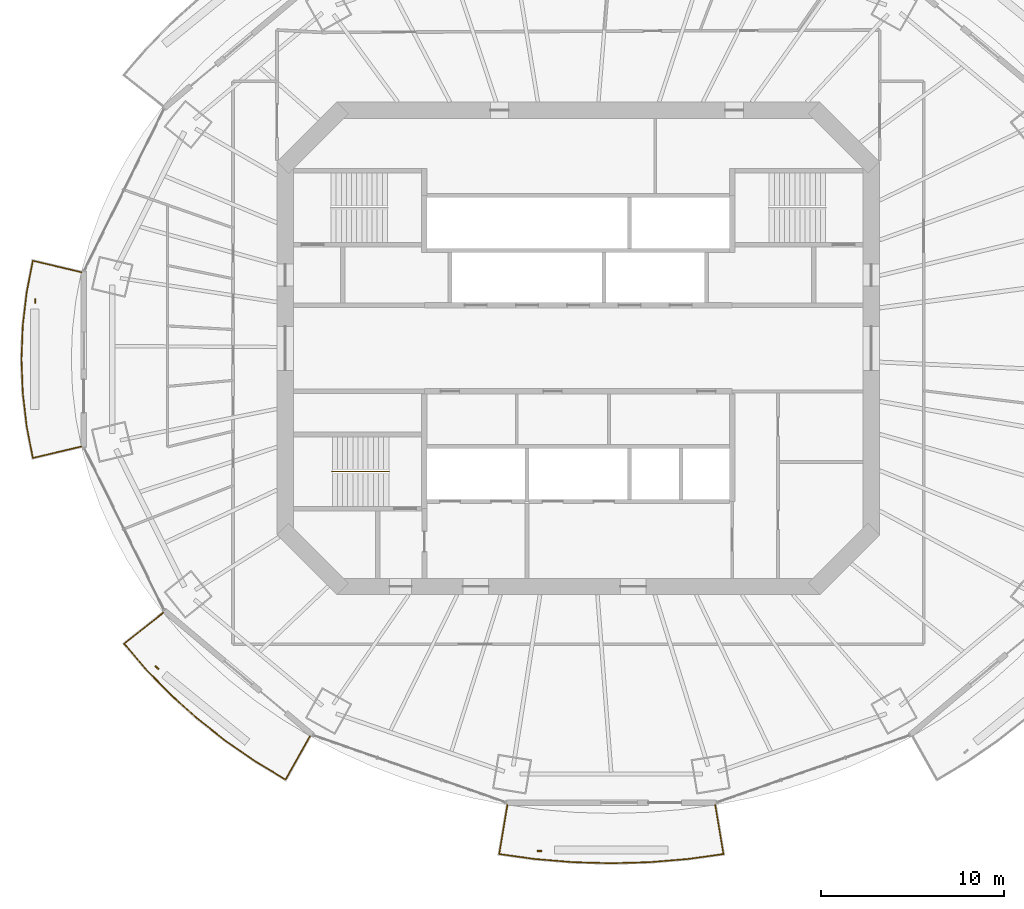
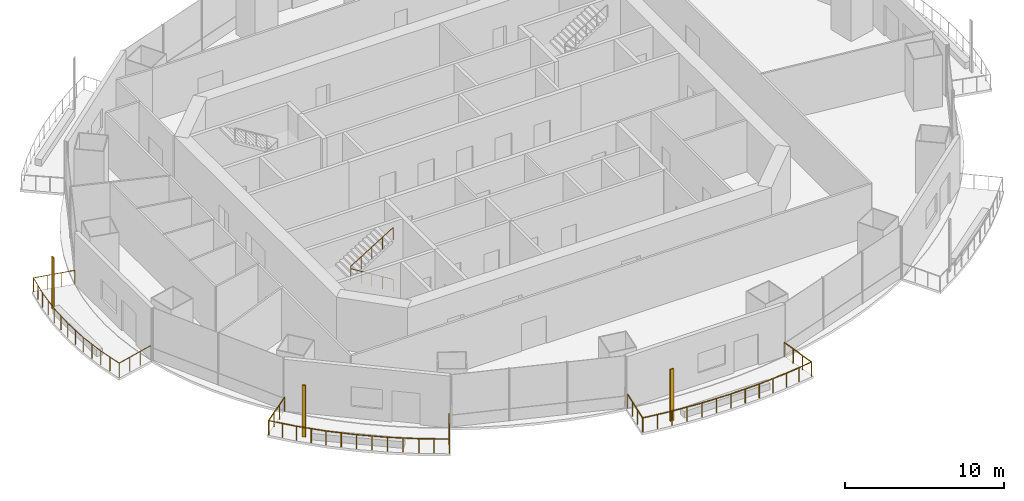
# One storey, part 14 of 18: 4 railings, 3 shading devices.
"""IFC4 building model written with IfcOpenShell, lengths in metres."""

from ifc_helpers import new_model, si_unit, direction, frame, origin, origin_2d, place, context, subcontext, project, spatial, rectangle, circle, extrude, material, material_profile, profile_set, type_object, element, save


model = new_model("IFC4")

# Units and contexts
model_context = context("Model", 3, precision=1e-05, world=origin(), true_north=direction((0.0, 1.0)))
body_context = subcontext(model_context, "Body", "Model", "MODEL_VIEW")
ifc_project = project(units=[si_unit("LENGTHUNIT", "METRE"), si_unit("AREAUNIT", "SQUARE_METRE"), si_unit("VOLUMEUNIT", "CUBIC_METRE"), si_unit("PLANEANGLEUNIT", "RADIAN"), si_unit("MASSUNIT", "GRAM", prefix="KILO")], contexts=[model_context])

# Site, building, storey
site_placement = place(None, origin())
site = spatial("IfcSite", under=ifc_project, at=site_placement, CompositionType="ELEMENT")
building_placement = place(site_placement, origin())
building = spatial("IfcBuilding", under=site, at=building_placement, Name="Marenthal Gate Tower", CompositionType="ELEMENT")
storey_placement = place(building_placement, frame((0.0, 0.0, 264.800048828125)))
storey = spatial("IfcBuildingStorey", under=building, at=storey_placement, Name="L59", CompositionType="ELEMENT", Elevation=264.800048828125)

# Railings
ifc_material_1 = material(Name="Stainless steel", Category="steel")
railing_type_1 = type_object("IfcRailingType", Name="Balcony guard 1100", PredefinedType="GUARDRAIL", material=ifc_material_1)
railing_1_placement = place(storey_placement, frame((-27.1328125, -5.358154296875, 0.0)))
element("IfcRailing", 1, at=railing_1_placement, inside=storey, type_object=railing_type_1, Name="Balcony guard L59 bay 8", PredefinedType="GUARDRAIL", context=body_context, shape_type="SweptSolid", body=[
    extrude(circle(Radius=0.02392578125, at=origin_2d()), frame((0.0, 0.0, 1.076171875), z_axis=(-0.973097096147, -0.229924814196, -0.014718059925), x_axis=(0.229949721547, -0.973202510046, 0.0)), (0.0, 0.0, 1.0), 2.720458984375),
    extrude(circle(Radius=0.02392578125, at=origin_2d()), frame((-2.647216796875, -0.62548828125, 1.0361328125), z_axis=(-0.190992168811, 0.981591560402, 0.0), x_axis=(-0.981591560402, -0.190992168811, 0.0)), (0.0, 0.0, 1.0), 1.76025390625),
    extrude(circle(Radius=0.02392578125, at=origin_2d()), frame((-2.9833984375, 1.102294921875, 1.0361328125), z_axis=(-0.116223982804, 0.993223029244, 0.0), x_axis=(-0.993223029244, -0.116223982804, 0.0)), (0.0, 0.0, 1.0), 1.8359375),
    extrude(circle(Radius=0.02392578125, at=origin_2d()), frame((-3.19677734375, 2.92578125, 1.0361328125), z_axis=(-0.038877979739, 0.999243965552, 0.0), x_axis=(-0.999243965552, -0.038877979739, 0.0)), (0.0, 0.0, 1.0), 1.833740234375),
    extrude(circle(Radius=0.02392578125, at=origin_2d()), frame((-3.26806640625, 4.758056640625, 1.0361328125), z_axis=(0.038872807979, 0.999244166758, 0.0), x_axis=(-0.999244166758, 0.038872807979, 0.0)), (0.0, 0.0, 1.0), 1.833984375),
    extrude(circle(Radius=0.02392578125, at=origin_2d()), frame((-3.19677734375, 6.590576171875, 1.0361328125), z_axis=(0.116223982804, 0.993223029244, 0.0), x_axis=(-0.993223029244, 0.116223982804, 0.0)), (0.0, 0.0, 1.0), 1.8359375),
    extrude(circle(Radius=0.02392578125, at=origin_2d()), frame((-2.9833984375, 8.4140625, 1.0361328125), z_axis=(0.190992168811, 0.981591560402, 0.0), x_axis=(-0.981591560402, 0.190992168811, 0.0)), (0.0, 0.0, 1.0), 1.76025390625),
    extrude(circle(Radius=0.02392578125, at=origin_2d()), frame((-2.647216796875, 10.141845703125, 1.0361328125), z_axis=(0.973077013542, -0.230009811464, 0.014717756176), x_axis=(0.230034726995, 0.973182420914, 0.0)), (0.0, 0.0, 1.0), 2.720458984375),
    extrude(circle(Radius=0.02099609375, at=origin_2d()), origin(), (0.0, 0.0, 1.0), 1.052001953125),
    extrude(circle(Radius=0.02099609375, at=origin_2d()), frame((-0.88232421875, -0.20849609375, -0.013427734375)), (0.0, 0.0, 1.0), 1.052001953125),
    extrude(circle(Radius=0.02099609375, at=origin_2d()), frame((-1.764892578125, -0.4169921875, -0.026611328125)), (0.0, 0.0, 1.0), 1.052001953125),
    extrude(circle(Radius=0.02099609375, at=origin_2d()), frame((-2.647216796875, -0.62548828125, -0.0400390625)), (0.0, 0.0, 1.0), 1.052001953125),
    extrude(circle(Radius=0.02099609375, at=origin_2d()), frame((-2.8154296875, 0.23828125, -0.0400390625)), (0.0, 0.0, 1.0), 1.052001953125),
    extrude(circle(Radius=0.02099609375, at=origin_2d()), frame((-2.9833984375, 1.102294921875, -0.0400390625)), (0.0, 0.0, 1.0), 1.052001953125),
    extrude(circle(Radius=0.02099609375, at=origin_2d()), frame((-3.090087890625, 2.01416015625, -0.0400390625)), (0.0, 0.0, 1.0), 1.052001953125),
    extrude(circle(Radius=0.02099609375, at=origin_2d()), frame((-3.19677734375, 2.92578125, -0.0400390625)), (0.0, 0.0, 1.0), 1.052001953125),
    extrude(circle(Radius=0.02099609375, at=origin_2d()), frame((-3.232421875, 3.841796875, -0.0400390625)), (0.0, 0.0, 1.0), 1.052001953125),
    extrude(circle(Radius=0.02099609375, at=origin_2d()), frame((-3.26806640625, 4.758056640625, -0.0400390625)), (0.0, 0.0, 1.0), 1.052001953125),
    extrude(circle(Radius=0.02099609375, at=origin_2d()), frame((-3.232421875, 5.67431640625, -0.0400390625)), (0.0, 0.0, 1.0), 1.052001953125),
    extrude(circle(Radius=0.02099609375, at=origin_2d()), frame((-3.19677734375, 6.590576171875, -0.0400390625)), (0.0, 0.0, 1.0), 1.052001953125),
    extrude(circle(Radius=0.02099609375, at=origin_2d()), frame((-3.090087890625, 7.50244140625, -0.0400390625)), (0.0, 0.0, 1.0), 1.052001953125),
    extrude(circle(Radius=0.02099609375, at=origin_2d()), frame((-2.9833984375, 8.4140625, -0.0400390625)), (0.0, 0.0, 1.0), 1.052001953125),
    extrude(circle(Radius=0.02099609375, at=origin_2d()), frame((-2.8154296875, 9.27783203125, -0.0400390625)), (0.0, 0.0, 1.0), 1.052001953125),
    extrude(circle(Radius=0.02099609375, at=origin_2d()), frame((-2.647216796875, 10.141845703125, -0.0400390625)), (0.0, 0.0, 1.0), 1.052001953125),
    extrude(circle(Radius=0.02099609375, at=origin_2d()), frame((-1.764892578125, 9.933349609375, -0.026611328125)), (0.0, 0.0, 1.0), 1.052001953125),
    extrude(circle(Radius=0.02099609375, at=origin_2d()), frame((-0.88232421875, 9.724609375, -0.013427734375)), (0.0, 0.0, 1.0), 1.052001953125),
    extrude(circle(Radius=0.02099609375, at=origin_2d()), frame((0.0, 9.51611328125, 0.0)), (0.0, 0.0, 1.0), 1.052001953125),
])
railing_2_placement = place(storey_placement, frame((-14.6484375, -21.17138671875, 0.0)))
element("IfcRailing", 2, at=railing_2_placement, inside=storey, type_object=railing_type_1, Name="Balcony guard L59 bay 10", PredefinedType="GUARDRAIL", context=body_context, shape_type="SweptSolid", body=[
    extrude(circle(Radius=0.02392578125, at=origin_2d()), frame((0.0, 0.0, 1.076171875), z_axis=(-0.490110126521, -0.87153624586, -0.01471856084), x_axis=(0.871630664279, -0.490163222905, 0.0)), (0.0, 0.0, 1.0), 2.72021484375),
    extrude(circle(Radius=0.02392578125, at=origin_2d()), frame((-1.333251953125, -2.370849609375, 1.0361328125), z_axis=(-0.855836862024, 0.517245846383, 0.0), x_axis=(-0.517245846383, -0.855836862024, 0.0)), (0.0, 0.0, 1.0), 1.917236328125),
    extrude(circle(Radius=0.02392578125, at=origin_2d()), frame((-2.97412109375, -1.379150390625, 1.0361328125), z_axis=(-0.823034037929, 0.567992053122, 0.0), x_axis=(-0.567992053122, -0.823034037929, 0.0)), (0.0, 0.0, 1.0), 1.9814453125),
    extrude(circle(Radius=0.02392578125, at=origin_2d()), frame((-4.60498046875, -0.253662109375, 1.0361328125), z_axis=(-0.785632541266, 0.618693389414, 0.0), x_axis=(-0.618693389414, -0.785632541266, 0.0)), (0.0, 0.0, 1.0), 1.965576171875),
    extrude(circle(Radius=0.02392578125, at=origin_2d()), frame((-6.149169921875, 0.96240234375, 1.0361328125), z_axis=(-0.744090634805, 0.668078683387, 0.0), x_axis=(-0.668078683387, -0.744090634805, 0.0)), (0.0, 0.0, 1.0), 1.94970703125),
    extrude(circle(Radius=0.02392578125, at=origin_2d()), frame((-7.599853515625, 2.264892578125, 1.0361328125), z_axis=(-0.698405883907, 0.715701908147, 0.0), x_axis=(-0.715701908147, -0.698405883907, 0.0)), (0.0, 0.0, 1.0), 1.933837890625),
    extrude(circle(Radius=0.02392578125, at=origin_2d()), frame((-8.950439453125, 3.64892578125, 1.0361328125), z_axis=(-0.649828188236, 0.760081131047, 0.0), x_axis=(-0.760081131047, -0.649828188236, 0.0)), (0.0, 0.0, 1.0), 1.837890625),
    extrude(circle(Radius=0.02392578125, at=origin_2d()), frame((-10.144775390625, 5.0458984375, 1.0361328125), z_axis=(0.783090295012, 0.62173384871, 0.014717718128), x_axis=(-0.621801196917, 0.783175121868, 0.0)), (0.0, 0.0, 1.0), 2.720458984375),
    extrude(circle(Radius=0.02099609375, at=origin_2d()), origin(), (0.0, 0.0, 1.0), 1.052001953125),
    extrude(circle(Radius=0.02099609375, at=origin_2d()), frame((-0.4443359375, -0.790283203125, -0.013427734375)), (0.0, 0.0, 1.0), 1.052001953125),
    extrude(circle(Radius=0.02099609375, at=origin_2d()), frame((-0.888916015625, -1.58056640625, -0.026611328125)), (0.0, 0.0, 1.0), 1.052001953125),
    extrude(circle(Radius=0.02099609375, at=origin_2d()), frame((-1.333251953125, -2.370849609375, -0.0400390625)), (0.0, 0.0, 1.0), 1.052001953125),
    extrude(circle(Radius=0.02099609375, at=origin_2d()), frame((-2.15380859375, -1.875, -0.0400390625)), (0.0, 0.0, 1.0), 1.052001953125),
    extrude(circle(Radius=0.02099609375, at=origin_2d()), frame((-2.97412109375, -1.379150390625, -0.0400390625)), (0.0, 0.0, 1.0), 1.052001953125),
    extrude(circle(Radius=0.02099609375, at=origin_2d()), frame((-3.78955078125, -0.81640625, -0.0400390625)), (0.0, 0.0, 1.0), 1.052001953125),
    extrude(circle(Radius=0.02099609375, at=origin_2d()), frame((-4.60498046875, -0.253662109375, -0.0400390625)), (0.0, 0.0, 1.0), 1.052001953125),
    extrude(circle(Radius=0.02099609375, at=origin_2d()), frame((-5.376953125, 0.3544921875, -0.0400390625)), (0.0, 0.0, 1.0), 1.052001953125),
    extrude(circle(Radius=0.02099609375, at=origin_2d()), frame((-6.149169921875, 0.96240234375, -0.0400390625)), (0.0, 0.0, 1.0), 1.052001953125),
    extrude(circle(Radius=0.02099609375, at=origin_2d()), frame((-6.87451171875, 1.61376953125, -0.0400390625)), (0.0, 0.0, 1.0), 1.052001953125),
    extrude(circle(Radius=0.02099609375, at=origin_2d()), frame((-7.599853515625, 2.264892578125, -0.0400390625)), (0.0, 0.0, 1.0), 1.052001953125),
    extrude(circle(Radius=0.02099609375, at=origin_2d()), frame((-8.275146484375, 2.95703125, -0.0400390625)), (0.0, 0.0, 1.0), 1.052001953125),
    extrude(circle(Radius=0.02099609375, at=origin_2d()), frame((-8.950439453125, 3.64892578125, -0.0400390625)), (0.0, 0.0, 1.0), 1.052001953125),
    extrude(circle(Radius=0.02099609375, at=origin_2d()), frame((-9.547607421875, 4.347412109375, -0.0400390625)), (0.0, 0.0, 1.0), 1.052001953125),
    extrude(circle(Radius=0.02099609375, at=origin_2d()), frame((-10.144775390625, 5.0458984375, -0.0400390625)), (0.0, 0.0, 1.0), 1.052001953125),
    extrude(circle(Radius=0.02099609375, at=origin_2d()), frame((-9.4345703125, 5.609619140625, -0.026611328125)), (0.0, 0.0, 1.0), 1.052001953125),
    extrude(circle(Radius=0.02099609375, at=origin_2d()), frame((-8.724609375, 6.173583984375, -0.013427734375)), (0.0, 0.0, 1.0), 1.052001953125),
    extrude(circle(Radius=0.02099609375, at=origin_2d()), frame((-8.014404296875, 6.7373046875, 0.0)), (0.0, 0.0, 1.0), 1.052001953125),
])
railing_3_placement = place(storey_placement, frame((7.47265625, -24.9248046875, 0.0)))
element("IfcRailing", 3, at=railing_3_placement, inside=storey, type_object=railing_type_1, Name="Balcony guard L59 bay 12", PredefinedType="GUARDRAIL", context=body_context, shape_type="SweptSolid", body=[
    extrude(circle(Radius=0.02392578125, at=origin_2d()), frame((0.0, 0.0, 1.076171875), z_axis=(0.165036020711, -0.986177722452, -0.014717731048), x_axis=(0.986284548578, 0.165053897974, 0.0)), (0.0, 0.0, 1.0), 2.720458984375),
    extrude(circle(Radius=0.02392578125, at=origin_2d()), frame((0.448974609375, -2.682861328125, 1.0361328125), z_axis=(-0.990659403163, -0.136359623512, 0.0), x_axis=(0.136359623512, -0.990659403163, 0.0)), (0.0, 0.0, 1.0), 1.99267578125),
    extrude(circle(Radius=0.02392578125, at=origin_2d()), frame((-1.525146484375, -2.95458984375, 1.0361328125), z_axis=(-0.996588596439, -0.082529809449, 0.0), x_axis=(0.082529809449, -0.996588596439, 0.0)), (0.0, 0.0, 1.0), 2.07666015625),
    extrude(circle(Radius=0.02392578125, at=origin_2d()), frame((-3.5947265625, -3.1259765625, 1.0361328125), z_axis=(-0.999622258755, -0.027483445958, 0.0), x_axis=(0.027483445958, -0.999622258755, 0.0)), (0.0, 0.0, 1.0), 2.07861328125),
    extrude(circle(Radius=0.02392578125, at=origin_2d()), frame((-5.672607421875, -3.18310546875, 1.0361328125), z_axis=(-0.999622258755, 0.027483445958, 0.0), x_axis=(-0.027483445958, -0.999622258755, 0.0)), (0.0, 0.0, 1.0), 2.07861328125),
    extrude(circle(Radius=0.02392578125, at=origin_2d()), frame((-7.75048828125, -3.1259765625, 1.0361328125), z_axis=(-0.996588596439, 0.082529809449, 0.0), x_axis=(-0.082529809449, -0.996588596439, 0.0)), (0.0, 0.0, 1.0), 2.07666015625),
    extrude(circle(Radius=0.02392578125, at=origin_2d()), frame((-9.820068359375, -2.95458984375, 1.0361328125), z_axis=(-0.990661680793, 0.136343075395, 0.0), x_axis=(-0.136343075395, -0.990661680793, 0.0)), (0.0, 0.0, 1.0), 1.992919921875),
    extrude(circle(Radius=0.02392578125, at=origin_2d()), frame((-11.79443359375, -2.682861328125, 1.0361328125), z_axis=(0.165123316733, 0.986163112817, 0.014717513013), x_axis=(-0.986269934195, 0.165141202923, 0.0)), (0.0, 0.0, 1.0), 2.720458984375),
    extrude(circle(Radius=0.02099609375, at=origin_2d()), origin(), (0.0, 0.0, 1.0), 1.052001953125),
    extrude(circle(Radius=0.02099609375, at=origin_2d()), frame((0.149658203125, -0.894287109375, -0.013427734375)), (0.0, 0.0, 1.0), 1.052001953125),
    extrude(circle(Radius=0.02099609375, at=origin_2d()), frame((0.29931640625, -1.78857421875, -0.026611328125)), (0.0, 0.0, 1.0), 1.052001953125),
    extrude(circle(Radius=0.02099609375, at=origin_2d()), frame((0.448974609375, -2.682861328125, -0.0400390625)), (0.0, 0.0, 1.0), 1.052001953125),
    extrude(circle(Radius=0.02099609375, at=origin_2d()), frame((-0.5380859375, -2.81884765625, -0.0400390625)), (0.0, 0.0, 1.0), 1.052001953125),
    extrude(circle(Radius=0.02099609375, at=origin_2d()), frame((-1.525146484375, -2.95458984375, -0.0400390625)), (0.0, 0.0, 1.0), 1.052001953125),
    extrude(circle(Radius=0.02099609375, at=origin_2d()), frame((-2.56005859375, -3.040283203125, -0.0400390625)), (0.0, 0.0, 1.0), 1.052001953125),
    extrude(circle(Radius=0.02099609375, at=origin_2d()), frame((-3.5947265625, -3.1259765625, -0.0400390625)), (0.0, 0.0, 1.0), 1.052001953125),
    extrude(circle(Radius=0.02099609375, at=origin_2d()), frame((-4.6337890625, -3.154541015625, -0.0400390625)), (0.0, 0.0, 1.0), 1.052001953125),
    extrude(circle(Radius=0.02099609375, at=origin_2d()), frame((-5.672607421875, -3.18310546875, -0.0400390625)), (0.0, 0.0, 1.0), 1.052001953125),
    extrude(circle(Radius=0.02099609375, at=origin_2d()), frame((-6.71142578125, -3.154541015625, -0.0400390625)), (0.0, 0.0, 1.0), 1.052001953125),
    extrude(circle(Radius=0.02099609375, at=origin_2d()), frame((-7.75048828125, -3.1259765625, -0.0400390625)), (0.0, 0.0, 1.0), 1.052001953125),
    extrude(circle(Radius=0.02099609375, at=origin_2d()), frame((-8.78515625, -3.040283203125, -0.0400390625)), (0.0, 0.0, 1.0), 1.052001953125),
    extrude(circle(Radius=0.02099609375, at=origin_2d()), frame((-9.820068359375, -2.95458984375, -0.0400390625)), (0.0, 0.0, 1.0), 1.052001953125),
    extrude(circle(Radius=0.02099609375, at=origin_2d()), frame((-10.80712890625, -2.81884765625, -0.0400390625)), (0.0, 0.0, 1.0), 1.052001953125),
    extrude(circle(Radius=0.02099609375, at=origin_2d()), frame((-11.79443359375, -2.682861328125, -0.0400390625)), (0.0, 0.0, 1.0), 1.052001953125),
    extrude(circle(Radius=0.02099609375, at=origin_2d()), frame((-11.644775390625, -1.78857421875, -0.026611328125)), (0.0, 0.0, 1.0), 1.052001953125),
    extrude(circle(Radius=0.02099609375, at=origin_2d()), frame((-11.494873046875, -0.894287109375, -0.013427734375)), (0.0, 0.0, 1.0), 1.052001953125),
    extrude(circle(Radius=0.02099609375, at=origin_2d()), frame((-11.34521484375, 0.0, 0.0)), (0.0, 0.0, 1.0), 1.052001953125),
])
ifc_material_2 = material(Name="Stainless steel", Category="steel")
railing_type_2 = type_object("IfcRailingType", Name="Stair handrail", PredefinedType="HANDRAIL", material=ifc_material_2)
railing_4_placement = place(storey_placement, frame((-10.35009765625, -6.72509765625, 0.1728515625)))
element("IfcRailing", 4, at=railing_4_placement, inside=storey, type_object=railing_type_2, Name="Handrail ST2", PredefinedType="HANDRAIL", context=body_context, shape_type="SweptSolid", body=[
    extrude(circle(Radius=0.0224609375, at=origin_2d()), frame((0.0, 0.0, 0.927490234375), z_axis=(-0.850816621229, 0.0, 0.525462726595), x_axis=(0.0, -1.0, 0.0)), (0.0, 0.0, 1.0), 3.619873046875),
    extrude(circle(Radius=0.0224609375, at=origin_2d()), frame((-3.079833984375, 0.0, 2.82958984375), z_axis=(0.0, 0.0, 1.0), x_axis=(1.0, 0.0, 0.0)), (0.0, 0.0, 1.0), 0.1728515625),
    extrude(circle(Radius=0.0224609375, at=origin_2d()), frame((-3.079833984375, 0.0, 3.00244140625), z_axis=(0.850816621229, 0.0, 0.525462726595), x_axis=(0.0, 1.0, 0.0)), (0.0, 0.0, 1.0), 3.619873046875),
    extrude(circle(Radius=0.02001953125, at=origin_2d()), origin(), (0.0, 0.0, 1.0), 0.905029296875),
    extrude(circle(Radius=0.02001953125, at=origin_2d()), frame((-0.77001953125, 0.0, 0.4755859375)), (0.0, 0.0, 1.0), 0.905029296875),
    extrude(circle(Radius=0.02001953125, at=origin_2d()), frame((-1.5400390625, 0.0, 0.951171875)), (0.0, 0.0, 1.0), 0.905029296875),
    extrude(circle(Radius=0.02001953125, at=origin_2d()), frame((-2.309814453125, 0.0, 1.426513671875)), (0.0, 0.0, 1.0), 0.905029296875),
    extrude(circle(Radius=0.02001953125, at=origin_2d()), frame((-3.079833984375, 0.0, 1.902099609375)), (0.0, 0.0, 1.0), 0.905029296875),
    extrude(circle(Radius=0.02001953125, at=origin_2d()), frame((-3.079833984375, 0.0, 2.074951171875)), (0.0, 0.0, 1.0), 0.905029296875),
    extrude(circle(Radius=0.02001953125, at=origin_2d()), frame((-2.309814453125, 0.0, 2.550537109375)), (0.0, 0.0, 1.0), 0.905029296875),
    extrude(circle(Radius=0.02001953125, at=origin_2d()), frame((-1.5400390625, 0.0, 3.02587890625)), (0.0, 0.0, 1.0), 0.905029296875),
    extrude(circle(Radius=0.02001953125, at=origin_2d()), frame((-0.77001953125, 0.0, 3.50146484375)), (0.0, 0.0, 1.0), 0.905029296875),
    extrude(circle(Radius=0.02001953125, at=origin_2d()), frame((0.0, 0.0, 3.97705078125)), (0.0, 0.0, 1.0), 0.905029296875),
])

# Shading devices
ifc_material_3 = material(Name="Terracotta", Category="masonry")
ifc_material_profile = material_profile(ifc_material_3, rectangle(XDim=0.25, YDim=0.080078125, at=origin_2d()), Name="Terracotta baguette 250x80")
ifc_profile_set = profile_set([ifc_material_profile], Name="Terracotta")
shading_device_type = type_object("IfcShadingDeviceType", Name="Terracotta BAGUETTE SCREEN 250x80", PredefinedType="USERDEFINED", material=ifc_profile_set)
for number, where, z_axis, x_axis, name in (
    (5, (-29.64794921875, 2.58056640625, -0.0400390625), (0.0, 0.0, 1.0), (0.0, -1.0, 0.0), "Terracotta BAGUETTE L59 bay 8L"),
    (6, (-23.0029296875, -17.427490234375, -0.0400390625), (0.0, 0.0, 1.0), (0.765301302142, -0.64367221234, 0.0), "Terracotta BAGUETTE L59 bay 10L"),
    (7, (-2.11328125, -27.43310546875, -0.0400390625), (0.0, 0.0, 1.0), (1.0, 0.0, 0.0), "Terracotta BAGUETTE L59 bay 12L"),
):
    element("IfcShadingDevice", number, at=place(storey_placement, frame(where, z_axis=z_axis, x_axis=x_axis)), inside=storey, type_object=shading_device_type, Name=name, ObjectType="BAGUETTE SCREEN", PredefinedType="USERDEFINED", context=body_context, shape_type="SweptSolid", body=[
        extrude(rectangle(XDim=0.25, YDim=0.080078125, at=origin_2d()), origin(), (0.0, 0.0, 1.0), 3.969970703125),
    ])

save(model, "model.ifc")
